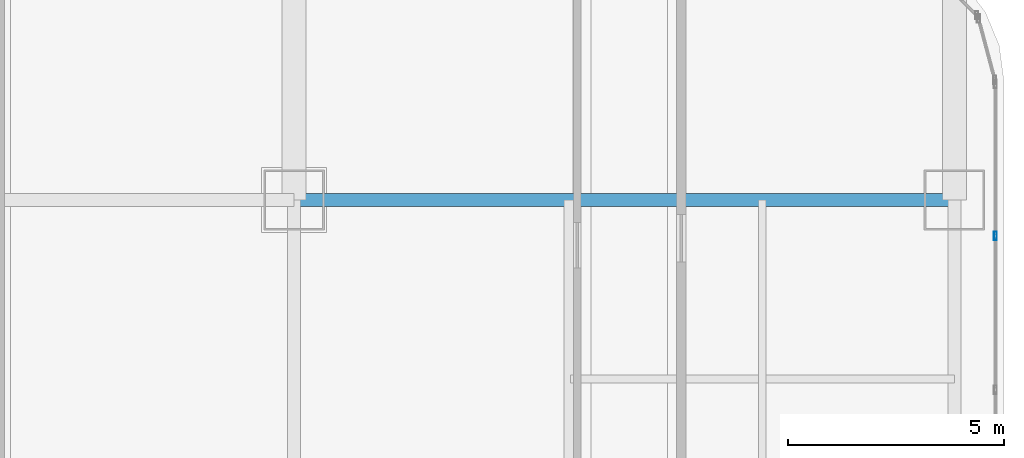
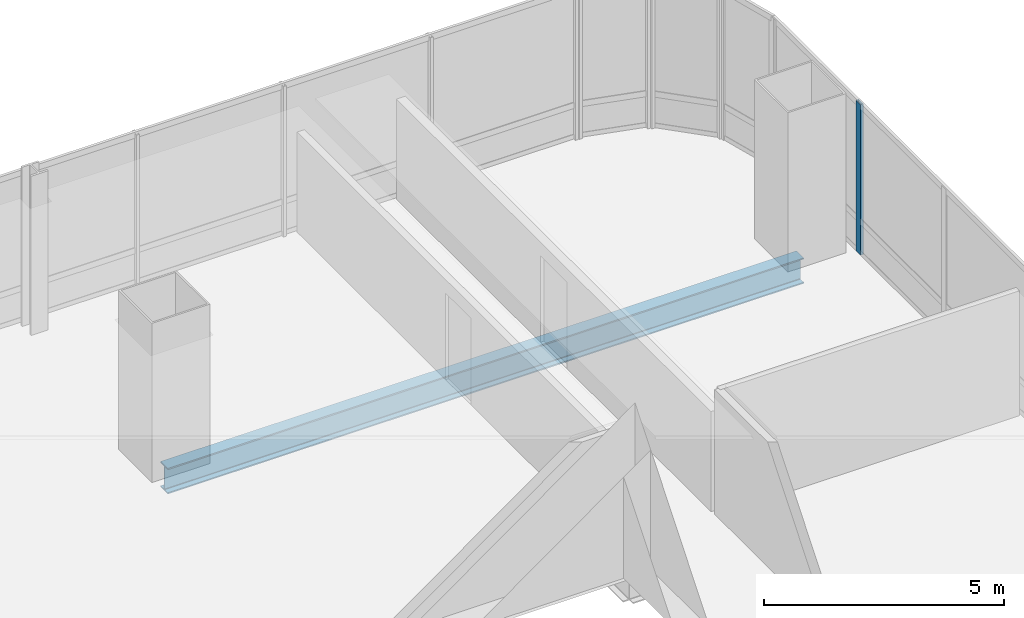
# One storey, part 26 of 38: 1 beam, 1 member, 1 element without a shape of its own.
"""IFC4 building model written with IfcOpenShell, lengths in metres."""

import ifcopenshell
import ifcopenshell.guid

model = None  # the IFC model being written
_history = None  # IfcOwnerHistory: only IFC2X3 demands one
_inside = {}  # id of a spatial element -> (the spatial element, [elements in it])
_under = {}  # id of a project, library or spatial element -> (it, [spatial elements below it])
_declared = {}  # id of a project -> (the project, [libraries it declares])
_typed = {}  # id of a type object -> (the type object, [elements of that type])
_made_of = {}  # id of a material, layer set ... -> (it, [elements and type objects made of it])


def new_model(schema):
    """Start an empty IFC model of exactly this schema.

    Asked for "IFC4X3", IfcOpenShell would pick the latest addendum, in which some entities
    have other attributes; the version numbers below select the first issue.
    IFC2X3 requires an IfcOwnerHistory on every rooted entity: one is made here for all.
    """
    global model, _history
    if schema == "IFC4X3":
        model = ifcopenshell.file(schema_version=(4, 3, 0, 0))
    else:
        model = ifcopenshell.file(schema=schema)
    _inside.clear()
    _under.clear()
    _declared.clear()
    _typed.clear()
    _made_of.clear()
    _history = None
    if model.schema == "IFC2X3":
        org = make("IfcOrganization", Name="unknown")
        user = make(
            "IfcPersonAndOrganization",
            ThePerson=make("IfcPerson", FamilyName="unknown"),
            TheOrganization=org,
        )
        app = make(
            "IfcApplication",
            ApplicationDeveloper=org,
            Version="unknown",
            ApplicationFullName="unknown",
            ApplicationIdentifier="unknown",
        )
        _history = make(
            "IfcOwnerHistory",
            OwningUser=user,
            OwningApplication=app,
            ChangeAction="ADDED",
            CreationDate=0,
        )
    return model


def make(cls, **values):
    """One entity of the class cls with the attributes given. An attribute that is None is left unset."""
    return model.create_entity(
        cls, **{name: value for name, value in values.items() if value is not None}
    )


def rooted(cls, **values):
    """An entity with a GlobalId (a new one), such as an element, a storey or a relation."""
    return make(cls, GlobalId=ifcopenshell.guid.new(), OwnerHistory=_history, **values)


def si_unit(unit_type, name, prefix=None):
    """IfcSIUnit, for example si_unit("LENGTHUNIT", "METRE", prefix="MILLI")."""
    return make("IfcSIUnit", UnitType=unit_type, Prefix=prefix, Name=name)


def assignment(units):
    """IfcUnitAssignment: the units of a project."""
    return None if units is None else make("IfcUnitAssignment", Units=units)


def point(xyz):
    """IfcCartesianPoint."""
    return None if xyz is None else make("IfcCartesianPoint", Coordinates=xyz)


def direction(xyz):
    """IfcDirection."""
    return None if xyz is None else make("IfcDirection", DirectionRatios=xyz)


def frame(location, z_axis=None, x_axis=None):
    """IfcAxis2Placement3D, a coordinate frame: its origin and axes. An axis left out is left unset."""
    return make(
        "IfcAxis2Placement3D",
        Location=point(location),
        Axis=direction(z_axis),
        RefDirection=direction(x_axis),
    )


def frame_2d(location, x_axis=None):
    """IfcAxis2Placement2D, a coordinate frame in the plane: its origin and x axis."""
    return make(
        "IfcAxis2Placement2D", Location=point(location), RefDirection=direction(x_axis)
    )


def origin():
    """The frame at (0, 0, 0) with its axes left unset."""
    return frame((0.0, 0.0, 0.0))


def origin_2d():
    """The frame at (0, 0) in the plane with its x axis left unset."""
    return frame_2d((0.0, 0.0))


def place(relative_to, where):
    """IfcLocalPlacement: puts the frame where relative to a parent placement (None: the world)."""
    return make(
        "IfcLocalPlacement", PlacementRelTo=relative_to, RelativePlacement=where
    )


def context(
    kind, dimensions, precision=None, world=None, true_north=None, identifier=None
):
    """IfcGeometricRepresentationContext, for example the 3D "Model" context."""
    return make(
        "IfcGeometricRepresentationContext",
        ContextIdentifier=identifier,
        ContextType=kind,
        CoordinateSpaceDimension=dimensions,
        Precision=precision,
        WorldCoordinateSystem=world,
        TrueNorth=true_north,
    )


def subcontext(parent, identifier, kind, view, scale=None):
    """IfcGeometricRepresentationSubContext, for example "Body" below "Model"."""
    return make(
        "IfcGeometricRepresentationSubContext",
        ContextIdentifier=identifier,
        ContextType=kind,
        ParentContext=parent,
        TargetScale=scale,
        TargetView=view,
    )


def project(units=None, contexts=None):
    """IfcProject with its units and contexts."""
    return rooted(
        "IfcProject",
        Name="project",
        RepresentationContexts=contexts,
        UnitsInContext=assignment(units),
    )


def spatial(cls, under=None, at=None, **own):
    """A site, building, storey or space (cls), placed at a placement, below another one or the project."""
    s = rooted(cls, ObjectPlacement=at, **own)
    if under is not None:
        _under.setdefault(under.id(), (under, []))[1].append(s)
    return s


def profile(cls, at=None, kind="AREA", **sizes):
    """A parametric profile (cls). Its sizes go by their IFC names, for example OverallWidth=200.0."""
    return make(cls, ProfileType=kind, Position=at, **sizes)


def hollow_rectangle(**sizes):
    """IfcRectangleHollowProfileDef."""
    return profile("IfcRectangleHollowProfileDef", **sizes)


def i_section(**sizes):
    """IfcIShapeProfileDef."""
    return profile("IfcIShapeProfileDef", **sizes)


def extrude(swept, where, along, depth):
    """IfcExtrudedAreaSolid: the profile swept, set in the frame where, extruded along a direction by depth."""
    return make(
        "IfcExtrudedAreaSolid",
        SweptArea=swept,
        Position=where,
        ExtrudedDirection=direction(along),
        Depth=depth,
    )


def shape(context_of_items, identifier, shape_type, items):
    """IfcShapeRepresentation: the items that make up one representation, for example the "Body"."""
    return make(
        "IfcShapeRepresentation",
        ContextOfItems=context_of_items,
        RepresentationIdentifier=identifier,
        RepresentationType=shape_type,
        Items=items,
    )


def material(Name=None, Category=None):
    """IfcMaterial."""
    return make("IfcMaterial", Name=Name, Category=Category)


def material_profile(
    of_material, cross_section, Name=None, Category=None, Priority=None
):
    """IfcMaterialProfile: a cross section and its material."""
    return make(
        "IfcMaterialProfile",
        Name=Name,
        Material=of_material,
        Profile=cross_section,
        Priority=Priority,
        Category=Category,
    )


def profile_set(profiles, Name=None, composite=None):
    """IfcMaterialProfileSet."""
    return make(
        "IfcMaterialProfileSet",
        Name=Name,
        MaterialProfiles=profiles,
        CompositeProfile=composite,
    )


def made_of(thing, what):
    """Note that an element or type object is made of a material, layer set ...; save() writes the relation."""
    if what is not None:
        _made_of.setdefault(what.id(), (what, []))[1].append(thing)
    return thing


def type_object(cls, material=None, **own):
    """A type object (cls), such as IfcWallType, which elements share."""
    return made_of(rooted(cls, **own), material)


def element(
    cls,
    number,
    at=None,
    inside=None,
    cuts=None,
    type_object=None,
    material=None,
    context=None,
    identifier="Body",
    shape_type=None,
    held_by="IfcProductDefinitionShape",
    body=None,
    shapes=None,
    **own,
):
    """One element of the class cls, such as IfcWall. Its Tag is "e" and its number.

    at: its placement. inside: the storey or other place that contains it. cuts: it is an
    opening in that element (IfcRelVoidsElement). A single representation is given by context,
    identifier, shape_type and body (its items); several are given by shapes. held_by: the class
    of the entity that holds the representations. save() writes the other relations.
    """
    e = rooted(cls, Tag="e%d" % number, ObjectPlacement=at, **own)
    if body is not None:
        shapes = [shape(context, identifier, shape_type, body)]
    if shapes is not None:
        e.Representation = make(held_by, Representations=shapes)
    if inside is not None:
        _inside.setdefault(inside.id(), (inside, []))[1].append(e)
    if cuts is not None:
        rooted(
            "IfcRelVoidsElement", RelatingBuildingElement=cuts, RelatedOpeningElement=e
        )
    if type_object is not None:
        _typed.setdefault(type_object.id(), (type_object, []))[1].append(e)
    return made_of(e, material)


def aggregate(whole, parts):
    """IfcRelAggregates: a whole, such as a stair, and the parts it consists of."""
    return rooted("IfcRelAggregates", RelatingObject=whole, RelatedObjects=parts)


def save(model, path):
    """Write the relations noted so far, then the file.

    IfcRelAggregates (storeys below a building ...), IfcRelContainedInSpatialStructure (elements
    in a storey), IfcRelDefinesByType, IfcRelAssociatesMaterial and IfcRelDeclares: one each for
    every whole, place, type object, material and project.
    """
    for whole, parts in _under.values():
        aggregate(whole, parts)
    for where, things in _inside.values():
        rooted(
            "IfcRelContainedInSpatialStructure",
            RelatedElements=things,
            RelatingStructure=where,
        )
    for kind, things in _typed.values():
        rooted("IfcRelDefinesByType", RelatedObjects=things, RelatingType=kind)
    for what, things in _made_of.values():
        rooted("IfcRelAssociatesMaterial", RelatedObjects=things, RelatingMaterial=what)
    for by, libraries in _declared.values():
        rooted("IfcRelDeclares", RelatingContext=by, RelatedDefinitions=libraries)
    model.write(path)


model = new_model("IFC4")

# Units and contexts
model_context = context("Model", 3, precision=1e-05, world=origin(), true_north=direction((0.0, 1.0)))
body_context = subcontext(model_context, "Body", "Model", "MODEL_VIEW")
ifc_project = project(units=[si_unit("LENGTHUNIT", "METRE"), si_unit("AREAUNIT", "SQUARE_METRE"), si_unit("VOLUMEUNIT", "CUBIC_METRE"), si_unit("PLANEANGLEUNIT", "RADIAN"), si_unit("MASSUNIT", "GRAM", prefix="KILO")], contexts=[model_context])

# Site, building, storey
site_placement = place(None, origin())
site = spatial("IfcSite", under=ifc_project, at=site_placement, CompositionType="ELEMENT")
building_placement = place(site_placement, origin())
building = spatial("IfcBuilding", under=site, at=building_placement, Name="Punatoya Terracotta Tower", CompositionType="ELEMENT")
storey_placement = place(building_placement, frame((0.0, 0.0, 151.949951171875)))
storey = spatial("IfcBuildingStorey", under=building, at=storey_placement, Name="L35", CompositionType="ELEMENT", Elevation=151.949951171875)

# Beam
ifc_material_1 = material(Name="Steel S355", Category="steel")
ifc_material_profile_1 = material_profile(ifc_material_1, i_section(OverallWidth=0.300048828125, OverallDepth=0.64990234375, WebThickness=0.01611328125, FlangeThickness=0.031005859375, FilletRadius=0.01806640625, at=origin_2d()))
ifc_profile_set_1 = profile_set([ifc_material_profile_1], Name="Steel S355")
beam_type = type_object("IfcBeamType", Name="BM-PRI-650", PredefinedType="BEAM", material=ifc_profile_set_1)
beam_placement = place(storey_placement, frame((3.800048828125, 17.5, -0.544921875), z_axis=(1.0, 0.0, 0.0), x_axis=(0.0, 1.0, 0.0)))
element("IfcBeam", 1, at=beam_placement, inside=storey, type_object=beam_type, Name="BM-L35-RG-N3", PredefinedType="BEAM", context=body_context, shape_type="SweptSolid", body=[
    extrude(i_section(OverallWidth=0.300048828125, OverallDepth=0.64990234375, WebThickness=0.01611328125, FlangeThickness=0.031005859375, FilletRadius=0.01806640625, at=origin_2d()), origin(), (0.0, 0.0, 1.0), 15.300048828125),
])

# Curtain wall, member
ifc_material_2 = material(Name="Aluminium 6063-T6 + Double Low-E Glass", Category="aluminium")
curtain_wall_type = type_object("IfcCurtainWallType", Name="CW-M2", PredefinedType="NOTDEFINED", material=ifc_material_2)
curtain_wall_placement = place(storey_placement, origin())
curtain_wall = element("IfcCurtainWall", 2, at=curtain_wall_placement, inside=storey, type_object=curtain_wall_type, Name="L35 Curtain Wall CW-L35-E05-1", PredefinedType="NOTDEFINED")
ifc_material_3 = material(Name="Aluminium 6063-T6", Category="aluminium")
ifc_material_profile_2 = material_profile(ifc_material_3, hollow_rectangle(XDim=0.072021484375, YDim=0.195068359375, WallThickness=0.00439453125, at=origin_2d()))
ifc_profile_set_2 = profile_set([ifc_material_profile_2], Name="Aluminium 6063-T6")
member_type = type_object("IfcMemberType", Name="CW-MUL-M2", PredefinedType="MULLION", material=ifc_profile_set_2)
member_placement = place(storey_placement, frame((20.050048828125, 16.66943359375, 0.0), z_axis=(0.0, 0.0, 1.0), x_axis=(1.0, 0.0, 0.0)))
member = element("IfcMember", 3, at=member_placement, type_object=member_type, Name="CW-L35-E05-1 Mullion 09", PredefinedType="MULLION", context=body_context, shape_type="SweptSolid", body=[
    extrude(hollow_rectangle(XDim=0.072021484375, YDim=0.195068359375, WallThickness=0.00439453125, at=origin_2d()), origin(), (0.0, 0.0, 1.0), 3.830078125),
])
aggregate(curtain_wall, [member])

save(model, "model.ifc")
